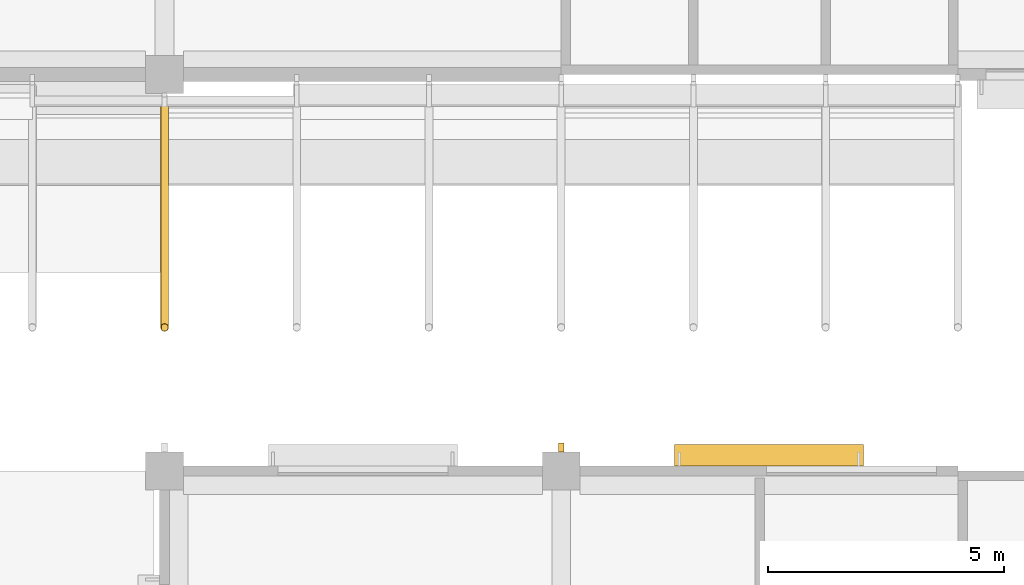
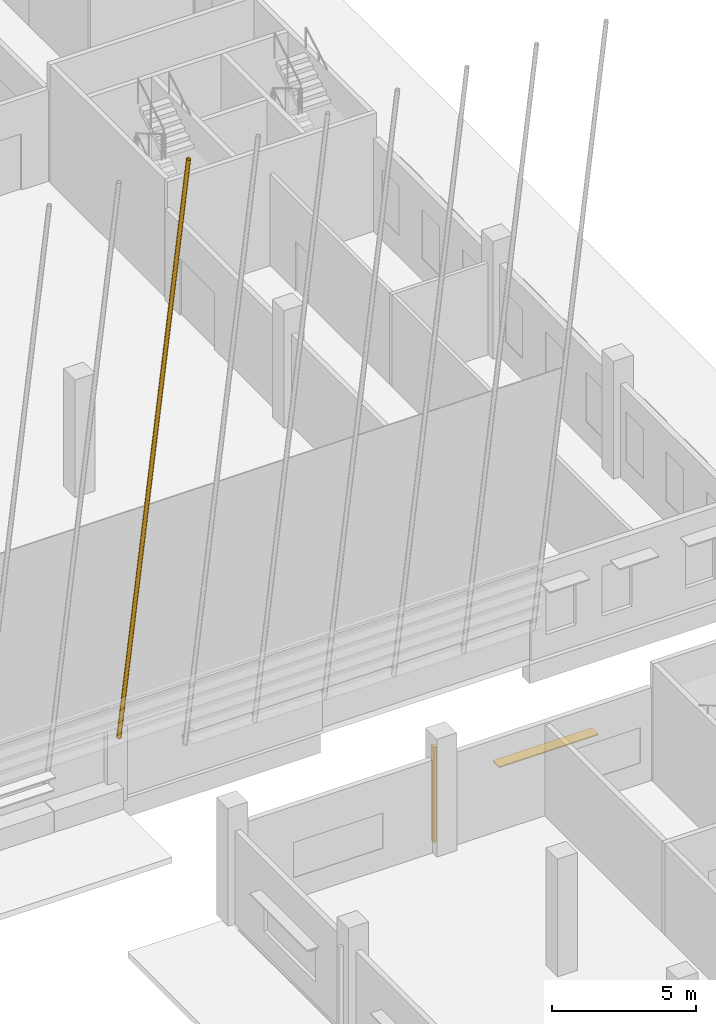
# One storey, part 94 of 101: 3 shading devices.
"""IFC4 building model written with IfcOpenShell, lengths in metres."""

from ifc_helpers import new_model, si_unit, direction, frame, origin, origin_2d, place, context, subcontext, project, spatial, rectangle, hollow_circle, extrude, material, material_profile, profile_set, type_object, element, save


model = new_model("IFC4")

# Units and contexts
model_context = context("Model", 3, precision=1e-05, world=origin(), true_north=direction((0.0, 1.0)))
body_context = subcontext(model_context, "Body", "Model", "MODEL_VIEW")
ifc_project = project(units=[si_unit("LENGTHUNIT", "METRE"), si_unit("AREAUNIT", "SQUARE_METRE"), si_unit("VOLUMEUNIT", "CUBIC_METRE"), si_unit("PLANEANGLEUNIT", "RADIAN"), si_unit("MASSUNIT", "GRAM", prefix="KILO")], contexts=[model_context])

# Site, building, storey
site_placement = place(None, origin())
site = spatial("IfcSite", under=ifc_project, at=site_placement, CompositionType="ELEMENT")
building_placement = place(site_placement, origin())
building = spatial("IfcBuilding", under=site, at=building_placement, Name="Almond Square Museum", CompositionType="ELEMENT")
storey_placement = place(building_placement, frame((0.0, 0.0, 5.5)))
storey = spatial("IfcBuildingStorey", under=building, at=storey_placement, Name="L01", CompositionType="ELEMENT", Elevation=5.5)

# Shading devices
ifc_material_1 = material(Name="Structural steel S355", Category="steel")
ifc_material_profile_1 = material_profile(ifc_material_1, hollow_circle(Radius=0.084228515625, WallThickness=0.008056640625, at=origin_2d()))
ifc_profile_set_1 = profile_set([ifc_material_profile_1], Name="Structural steel S355")
shading_device_type_1 = type_object("IfcShadingDeviceType", Name="Louvre post CHS 168.3 x 8", PredefinedType="USERDEFINED", material=ifc_profile_set_1)
shading_device_1_placement = place(storey_placement, frame((132.0, 49.89453125, 2.866455078125), z_axis=(0.0, -0.173651328963, 0.984807197348), x_axis=(1.0, 0.0, 0.0)))
element("IfcShadingDevice", 1, at=shading_device_1_placement, inside=storey, type_object=shading_device_type_1, Name="Louvre post S10", ObjectType="POST", PredefinedType="USERDEFINED", context=body_context, shape_type="SweptSolid", body=[
    extrude(hollow_circle(Radius=0.084228515625, WallThickness=0.008056640625, at=origin_2d()), origin(), (0.0, 0.0, 1.0), 27.958251953125),
])
ifc_material_2 = material(Name="Anodised aluminium", Category="aluminium")
ifc_material_profile_2 = material_profile(ifc_material_2, rectangle(XDim=0.449951171875, YDim=0.050048828125, at=origin_2d()))
ifc_profile_set_2 = profile_set([ifc_material_profile_2], Name="Anodised aluminium")
shading_device_type_2 = type_object("IfcShadingDeviceType", Name="Sun-shade blade 450 x 50", PredefinedType="USERDEFINED", material=ifc_profile_set_2)
shading_device_2_placement = place(storey_placement, frame((142.800048828125, 42.3330078125, 2.52001953125), z_axis=(1.0, 0.0, 0.0), x_axis=(0.0, 1.0, 0.0)))
element("IfcShadingDevice", 2, at=shading_device_2_placement, inside=storey, type_object=shading_device_type_2, Name="Sun-shade blade", ObjectType="LOUVRE", PredefinedType="USERDEFINED", context=body_context, shape_type="SweptSolid", body=[
    extrude(rectangle(XDim=0.449951171875, YDim=0.050048828125, at=origin_2d()), origin(), (0.0, 0.0, 1.0), 4.0),
])
ifc_material_3 = material(Name="Anodised aluminium", Category="aluminium")
ifc_material_profile_3 = material_profile(ifc_material_3, rectangle(XDim=0.199951171875, YDim=0.1201171875, at=origin_2d()))
ifc_profile_set_3 = profile_set([ifc_material_profile_3], Name="Anodised aluminium")
shading_device_type_3 = type_object("IfcShadingDeviceType", Name="Vertical aluminium fin 200 x 120", PredefinedType="USERDEFINED", material=ifc_profile_set_3)
shading_device_3_placement = place(storey_placement, frame((140.39990234375, 42.498046875, 0.0), z_axis=(0.0, 0.0, 1.0), x_axis=(0.0, 1.0, 0.0)))
element("IfcShadingDevice", 3, at=shading_device_3_placement, inside=storey, type_object=shading_device_type_3, Name="Vertical fin V5E L01 N01", ObjectType="FIN", PredefinedType="USERDEFINED", context=body_context, shape_type="SweptSolid", body=[
    extrude(rectangle(XDim=0.199951171875, YDim=0.1201171875, at=origin_2d()), origin(), (0.0, 0.0, 1.0), 4.050048828125),
])

save(model, "model.ifc")
